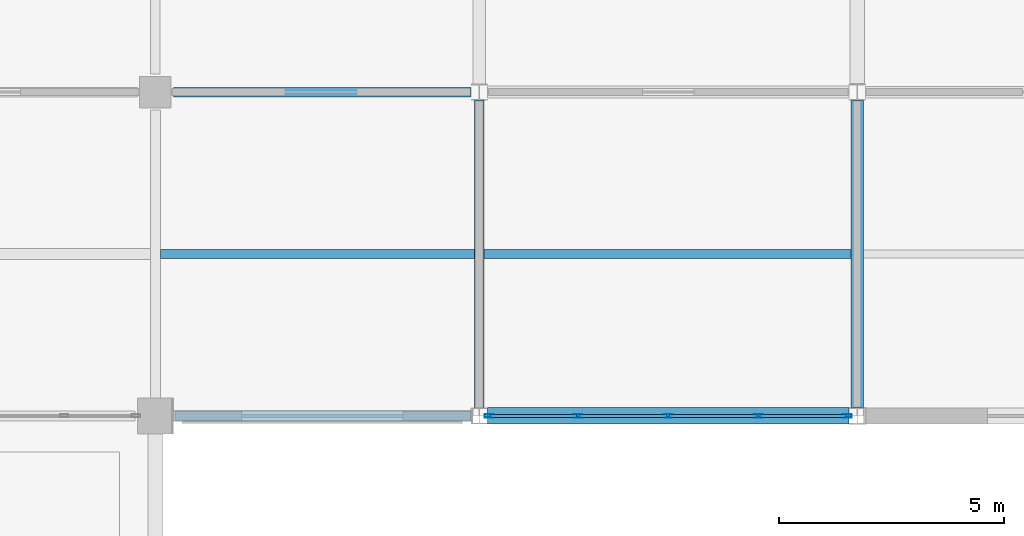
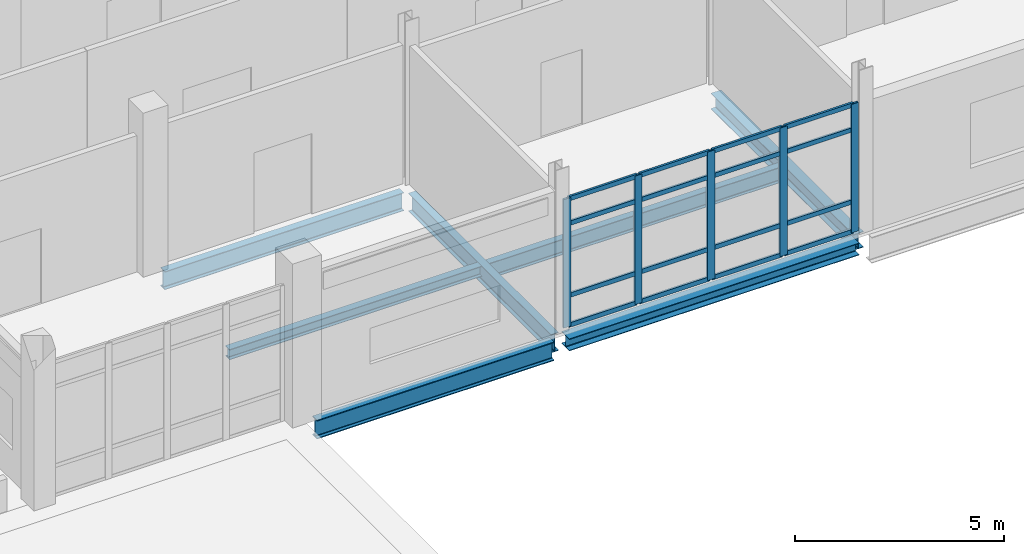
# One storey, part 83 of 186: 21 members, 7 beams, 1 element without a shape of its own.
"""IFC4 building model written with IfcOpenShell, lengths in metres."""

from ifc_helpers import new_model, si_unit, direction, frame, origin, origin_2d, place, context, subcontext, project, spatial, hollow_rectangle, i_section, extrude, material, layer, layer_set, material_profile, profile_set, type_object, element, aggregate, save


model = new_model("IFC4")

# Units and contexts
model_context = context("Model", 3, precision=1e-05, world=origin(), true_north=direction((0.0, 1.0)))
body_context = subcontext(model_context, "Body", "Model", "MODEL_VIEW")
ifc_project = project(units=[si_unit("LENGTHUNIT", "METRE"), si_unit("AREAUNIT", "SQUARE_METRE"), si_unit("VOLUMEUNIT", "CUBIC_METRE"), si_unit("PLANEANGLEUNIT", "RADIAN"), si_unit("MASSUNIT", "GRAM", prefix="KILO")], contexts=[model_context])

# Site, building, storey
site_placement = place(None, origin())
site = spatial("IfcSite", under=ifc_project, at=site_placement, CompositionType="ELEMENT")
building_placement = place(site_placement, origin())
building = spatial("IfcBuilding", under=site, at=building_placement, Name="Calvrana Isthmian Art Gallery", CompositionType="ELEMENT")
storey_placement = place(building_placement, frame((0.0, 0.0, 5.39990234375)))
storey = spatial("IfcBuildingStorey", under=building, at=storey_placement, Name="L01", CompositionType="ELEMENT", Elevation=5.39990234375)

# Beams
ifc_material_1 = material(Name="Steel ASTM A992 Gr 50", Category="steel")
ifc_material_profile_1 = material_profile(ifc_material_1, i_section(OverallWidth=0.279052734375, OverallDepth=0.4619140625, WebThickness=0.0107421875, FlangeThickness=0.017333984375, FilletRadius=0.02001953125, at=origin_2d()), Name="W18X76")
ifc_profile_set_1 = profile_set([ifc_material_profile_1], Name="Steel ASTM A992 Gr 50")
beam_type_1 = type_object("IfcBeamType", Name="BM-G-W18X76", PredefinedType="BEAM", material=ifc_profile_set_1)
beam_1_placement = place(storey_placement, frame((30.0, 98.583984375, -0.475830078125), z_axis=(0.0, 1.0, 0.0), x_axis=(-1.0, 0.0, 0.0)))
element("IfcBeam", 1, at=beam_1_placement, inside=storey, type_object=beam_type_1, Name="Girder Y L01 05/N-O", PredefinedType="BEAM", context=body_context, shape_type="SweptSolid", body=[
    extrude(i_section(OverallWidth=0.279052734375, OverallDepth=0.4619140625, WebThickness=0.0107421875, FlangeThickness=0.017333984375, FilletRadius=0.02001953125, at=origin_2d()), origin(), (0.0, 0.0, 1.0), 6.82958984375),
])
ifc_material_profile_2 = material_profile(ifc_material_1, i_section(OverallWidth=0.208984375, OverallDepth=0.532958984375, WebThickness=0.01025390625, FlangeThickness=0.015625, FilletRadius=0.02099609375, at=origin_2d()), Name="W21X62")
ifc_profile_set_2 = profile_set([ifc_material_profile_2], Name="Steel ASTM A992 Gr 50")
beam_type_2 = type_object("IfcBeamType", Name="BM-G-W21X62", PredefinedType="BEAM", material=ifc_profile_set_2)
beam_2_placement = place(storey_placement, frame((14.800048828125, 105.60009765625, -0.511474609375), z_axis=(1.0, 0.0, 0.0), x_axis=(0.0, 1.0, 0.0)))
element("IfcBeam", 2, at=beam_2_placement, inside=storey, type_object=beam_type_2, Name="Girder X L01 03-04/O", PredefinedType="BEAM", context=body_context, shape_type="SweptSolid", body=[
    extrude(i_section(OverallWidth=0.208984375, OverallDepth=0.532958984375, WebThickness=0.01025390625, FlangeThickness=0.015625, FilletRadius=0.02099609375, at=origin_2d()), origin(), (0.0, 0.0, 1.0), 6.615966796875),
])
beam_3_placement = place(storey_placement, frame((21.60009765625, 98.58642578125, -0.511474609375), z_axis=(0.0, 1.0, 0.0), x_axis=(-1.0, 0.0, 0.0)))
element("IfcBeam", 3, at=beam_3_placement, inside=storey, type_object=beam_type_2, Name="Girder Y L01 04/N-O", PredefinedType="BEAM", context=body_context, shape_type="SweptSolid", body=[
    extrude(i_section(OverallWidth=0.208984375, OverallDepth=0.532958984375, WebThickness=0.01025390625, FlangeThickness=0.015625, FilletRadius=0.02099609375, at=origin_2d()), origin(), (0.0, 0.0, 1.0), 6.835693359375),
])
ifc_material_profile_3 = material_profile(ifc_material_1, i_section(OverallWidth=0.214111328125, OverallDepth=0.549072265625, WebThickness=0.0146484375, FlangeThickness=0.023681640625, FilletRadius=0.02099609375, at=origin_2d()), Name="W21X93")
ifc_profile_set_3 = profile_set([ifc_material_profile_3], Name="Steel ASTM A992 Gr 50")
beam_type_3 = type_object("IfcBeamType", Name="BM-G-W21X93", PredefinedType="BEAM", material=ifc_profile_set_3)
beam_4_placement = place(storey_placement, frame((14.85009765625, 98.39990234375, -0.519287109375), z_axis=(1.0, 0.0, 0.0), x_axis=(0.0, 1.0, 0.0)))
element("IfcBeam", 4, at=beam_4_placement, inside=storey, type_object=beam_type_3, Name="Girder X L01 03-04/N", PredefinedType="BEAM", context=body_context, shape_type="SweptSolid", body=[
    extrude(i_section(OverallWidth=0.214111328125, OverallDepth=0.549072265625, WebThickness=0.0146484375, FlangeThickness=0.023681640625, FilletRadius=0.02099609375, at=origin_2d()), origin(), (0.0, 0.0, 1.0), 6.5634765625),
])
ifc_material_profile_4 = material_profile(ifc_material_1, i_section(OverallWidth=0.202880859375, OverallDepth=0.302001953125, WebThickness=0.007568359375, FlangeThickness=0.01318359375, FilletRadius=0.01611328125, at=origin_2d()), Name="W12X40")
ifc_profile_set_4 = profile_set([ifc_material_profile_4], Name="Steel ASTM A992 Gr 50")
beam_type_4 = type_object("IfcBeamType", Name="BM-J-W12X40", PredefinedType="JOIST", material=ifc_profile_set_4)
beam_5_placement = place(storey_placement, frame((14.513916015625, 102.0, -0.39599609375), z_axis=(1.0, 0.0, 0.0), x_axis=(0.0, 1.0, 0.0)))
element("IfcBeam", 5, at=beam_5_placement, inside=storey, type_object=beam_type_4, Name="Composite joist L01 bay 02-13", PredefinedType="JOIST", context=body_context, shape_type="SweptSolid", body=[
    extrude(i_section(OverallWidth=0.202880859375, OverallDepth=0.302001953125, WebThickness=0.007568359375, FlangeThickness=0.01318359375, FilletRadius=0.01611328125, at=origin_2d()), origin(), (0.0, 0.0, 1.0), 6.981689453125),
])
ifc_material_profile_5 = material_profile(ifc_material_1, i_section(OverallWidth=0.19091796875, OverallDepth=0.45703125, WebThickness=0.009033203125, FlangeThickness=0.014404296875, FilletRadius=0.02001953125, at=origin_2d()), Name="W18X50")
ifc_profile_set_5 = profile_set([ifc_material_profile_5], Name="Steel ASTM A992 Gr 50")
beam_type_5 = type_object("IfcBeamType", Name="BM-J-W18X50", PredefinedType="JOIST", material=ifc_profile_set_5)
beam_6_placement = place(storey_placement, frame((21.70458984375, 102.0, -0.473388671875), z_axis=(1.0, 0.0, 0.0), x_axis=(0.0, 1.0, 0.0)))
element("IfcBeam", 6, at=beam_6_placement, inside=storey, type_object=beam_type_5, Name="Composite joist L01 bay 03-13", PredefinedType="JOIST", context=body_context, shape_type="SweptSolid", body=[
    extrude(i_section(OverallWidth=0.19091796875, OverallDepth=0.45703125, WebThickness=0.009033203125, FlangeThickness=0.014404296875, FilletRadius=0.02001953125, at=origin_2d()), origin(), (0.0, 0.0, 1.0), 8.156005859375),
])
ifc_material_profile_6 = material_profile(ifc_material_1, i_section(OverallWidth=0.367919921875, OverallDepth=0.35595703125, WebThickness=0.01123046875, FlangeThickness=0.01806640625, FilletRadius=0.02490234375, at=origin_2d()), Name="W14X90")
ifc_profile_set_6 = profile_set([ifc_material_profile_6], Name="Steel ASTM A992 Gr 50")
beam_type_6 = type_object("IfcBeamType", Name="BM-SP-W14X90", PredefinedType="SPANDREL", material=ifc_profile_set_6)
beam_7_placement = place(storey_placement, frame((21.78662109375, 98.39990234375, -0.4228515625), z_axis=(1.0, 0.0, 0.0), x_axis=(0.0, 1.0, 0.0)))
element("IfcBeam", 7, at=beam_7_placement, inside=storey, type_object=beam_type_6, Name="Girder X L01 04-05/N", PredefinedType="SPANDREL", context=body_context, shape_type="SweptSolid", body=[
    extrude(i_section(OverallWidth=0.367919921875, OverallDepth=0.35595703125, WebThickness=0.01123046875, FlangeThickness=0.01806640625, FilletRadius=0.02490234375, at=origin_2d()), origin(), (0.0, 0.0, 1.0), 8.02685546875),
])

# Curtain wall, members
ifc_material_2 = material(Name="Anodized bronze aluminium 6063-T6", Category="aluminium")
ifc_layer = layer(ifc_material_2, 0.179931640625, Name="Anodized bronze aluminium 6063-T6")
ifc_layer_set = layer_set([ifc_layer], Name="Anodized bronze aluminium 6063-T6")
curtain_wall_type = type_object("IfcCurtainWallType", Name="CW-UNIT-080X38", PredefinedType="USERDEFINED", material=ifc_layer_set)
curtain_wall_placement = place(storey_placement, origin())
curtain_wall = element("IfcCurtainWall", 8, at=curtain_wall_placement, inside=storey, type_object=curtain_wall_type, Name="Curtain wall CW-111", ObjectType="UNITISED CURTAIN WALL", PredefinedType="USERDEFINED")
ifc_material_profile_7 = material_profile(ifc_material_2, hollow_rectangle(XDim=0.070068359375, YDim=0.199951171875, WallThickness=0.0048828125, at=origin_2d()), Name="CWM70X200")
ifc_profile_set_7 = profile_set([ifc_material_profile_7], Name="Anodized bronze aluminium 6063-T6")
member_type_1 = type_object("IfcMemberType", Name="CWM-CWM70X200", PredefinedType="MULLION", material=ifc_profile_set_7)
member_1_placement = place(storey_placement, frame((29.778564453125, 98.39990234375, 0.0), z_axis=(0.0, 0.0, 1.0), x_axis=(0.0, -1.0, 0.0)))
member_1 = element("IfcMember", 9, at=member_1_placement, type_object=member_type_1, Name="CW-111 mullion 1", PredefinedType="MULLION", context=body_context, shape_type="SweptSolid", body=[
    extrude(hollow_rectangle(XDim=0.070068359375, YDim=0.199951171875, WallThickness=0.0048828125, at=origin_2d()), origin(), (0.0, 0.0, 1.0), 3.758056640625),
])
member_2_placement = place(storey_placement, frame((27.80615234375, 98.39990234375, 0.0), z_axis=(0.0, 0.0, 1.0), x_axis=(0.0, -1.0, 0.0)))
member_2 = element("IfcMember", 10, at=member_2_placement, type_object=member_type_1, Name="CW-111 mullion 2", PredefinedType="MULLION", context=body_context, shape_type="SweptSolid", body=[
    extrude(hollow_rectangle(XDim=0.070068359375, YDim=0.199951171875, WallThickness=0.0048828125, at=origin_2d()), origin(), (0.0, 0.0, 1.0), 3.758056640625),
])
member_3_placement = place(storey_placement, frame((25.798828125, 98.39990234375, 0.0), z_axis=(0.0, 0.0, 1.0), x_axis=(0.0, -1.0, 0.0)))
member_3 = element("IfcMember", 11, at=member_3_placement, type_object=member_type_1, Name="CW-111 mullion 3", PredefinedType="MULLION", context=body_context, shape_type="SweptSolid", body=[
    extrude(hollow_rectangle(XDim=0.070068359375, YDim=0.199951171875, WallThickness=0.0048828125, at=origin_2d()), origin(), (0.0, 0.0, 1.0), 3.758056640625),
])
member_4_placement = place(storey_placement, frame((23.791259765625, 98.39990234375, 0.0), z_axis=(0.0, 0.0, 1.0), x_axis=(0.0, -1.0, 0.0)))
member_4 = element("IfcMember", 12, at=member_4_placement, type_object=member_type_1, Name="CW-111 mullion 4", PredefinedType="MULLION", context=body_context, shape_type="SweptSolid", body=[
    extrude(hollow_rectangle(XDim=0.070068359375, YDim=0.199951171875, WallThickness=0.0048828125, at=origin_2d()), origin(), (0.0, 0.0, 1.0), 3.758056640625),
])
member_5_placement = place(storey_placement, frame((21.819091796875, 98.39990234375, 0.0), z_axis=(0.0, 0.0, 1.0), x_axis=(0.0, -1.0, 0.0)))
member_5 = element("IfcMember", 13, at=member_5_placement, type_object=member_type_1, Name="CW-111 mullion 5", PredefinedType="MULLION", context=body_context, shape_type="SweptSolid", body=[
    extrude(hollow_rectangle(XDim=0.070068359375, YDim=0.199951171875, WallThickness=0.0048828125, at=origin_2d()), origin(), (0.0, 0.0, 1.0), 3.758056640625),
])
ifc_material_profile_8 = material_profile(ifc_material_2, hollow_rectangle(XDim=0.06005859375, YDim=0.1298828125, WallThickness=0.00390625, at=origin_2d()), Name="CWT60X130")
ifc_profile_set_8 = profile_set([ifc_material_profile_8], Name="Anodized bronze aluminium 6063-T6")
member_type_2 = type_object("IfcMemberType", Name="CWT-CWT60X130", PredefinedType="USERDEFINED", material=ifc_profile_set_8)
member_6_placement = place(storey_placement, frame((29.743408203125, 98.39990234375, 0.030029296875), z_axis=(-1.0, 0.0, 0.0), x_axis=(0.0, -1.0, 0.0)))
member_6 = element("IfcMember", 14, at=member_6_placement, type_object=member_type_2, Name="CW-111 transom 1.1", ObjectType="TRANSOM", PredefinedType="USERDEFINED", context=body_context, shape_type="SweptSolid", body=[
    extrude(hollow_rectangle(XDim=0.06005859375, YDim=0.1298828125, WallThickness=0.00390625, at=origin_2d()), origin(), (0.0, 0.0, 1.0), 1.90234375),
])
member_7_placement = place(storey_placement, frame((29.743408203125, 98.39990234375, 0.900146484375), z_axis=(-1.0, 0.0, 0.0), x_axis=(0.0, -1.0, 0.0)))
member_7 = element("IfcMember", 15, at=member_7_placement, type_object=member_type_2, Name="CW-111 transom 1.2", ObjectType="TRANSOM", PredefinedType="USERDEFINED", context=body_context, shape_type="SweptSolid", body=[
    extrude(hollow_rectangle(XDim=0.06005859375, YDim=0.1298828125, WallThickness=0.00390625, at=origin_2d()), origin(), (0.0, 0.0, 1.0), 1.90234375),
])
member_8_placement = place(storey_placement, frame((29.743408203125, 98.39990234375, 3.008056640625), z_axis=(-1.0, 0.0, 0.0), x_axis=(0.0, -1.0, 0.0)))
member_8 = element("IfcMember", 16, at=member_8_placement, type_object=member_type_2, Name="CW-111 transom 1.3", ObjectType="TRANSOM", PredefinedType="USERDEFINED", context=body_context, shape_type="SweptSolid", body=[
    extrude(hollow_rectangle(XDim=0.06005859375, YDim=0.1298828125, WallThickness=0.00390625, at=origin_2d()), origin(), (0.0, 0.0, 1.0), 1.90234375),
])
member_9_placement = place(storey_placement, frame((29.743408203125, 98.39990234375, 3.72802734375), z_axis=(-1.0, 0.0, 0.0), x_axis=(0.0, -1.0, 0.0)))
member_9 = element("IfcMember", 17, at=member_9_placement, type_object=member_type_2, Name="CW-111 transom 1.4", ObjectType="TRANSOM", PredefinedType="USERDEFINED", context=body_context, shape_type="SweptSolid", body=[
    extrude(hollow_rectangle(XDim=0.06005859375, YDim=0.1298828125, WallThickness=0.00390625, at=origin_2d()), origin(), (0.0, 0.0, 1.0), 1.90234375),
])
member_10_placement = place(storey_placement, frame((27.771240234375, 98.39990234375, 0.030029296875), z_axis=(-1.0, 0.0, 0.0), x_axis=(0.0, -1.0, 0.0)))
member_10 = element("IfcMember", 18, at=member_10_placement, type_object=member_type_2, Name="CW-111 transom 2.1", ObjectType="TRANSOM", PredefinedType="USERDEFINED", context=body_context, shape_type="SweptSolid", body=[
    extrude(hollow_rectangle(XDim=0.06005859375, YDim=0.1298828125, WallThickness=0.00390625, at=origin_2d()), origin(), (0.0, 0.0, 1.0), 1.9375),
])
member_11_placement = place(storey_placement, frame((27.771240234375, 98.39990234375, 0.900146484375), z_axis=(-1.0, 0.0, 0.0), x_axis=(0.0, -1.0, 0.0)))
member_11 = element("IfcMember", 19, at=member_11_placement, type_object=member_type_2, Name="CW-111 transom 2.2", ObjectType="TRANSOM", PredefinedType="USERDEFINED", context=body_context, shape_type="SweptSolid", body=[
    extrude(hollow_rectangle(XDim=0.06005859375, YDim=0.1298828125, WallThickness=0.00390625, at=origin_2d()), origin(), (0.0, 0.0, 1.0), 1.9375),
])
member_12_placement = place(storey_placement, frame((27.771240234375, 98.39990234375, 3.008056640625), z_axis=(-1.0, 0.0, 0.0), x_axis=(0.0, -1.0, 0.0)))
member_12 = element("IfcMember", 20, at=member_12_placement, type_object=member_type_2, Name="CW-111 transom 2.3", ObjectType="TRANSOM", PredefinedType="USERDEFINED", context=body_context, shape_type="SweptSolid", body=[
    extrude(hollow_rectangle(XDim=0.06005859375, YDim=0.1298828125, WallThickness=0.00390625, at=origin_2d()), origin(), (0.0, 0.0, 1.0), 1.9375),
])
member_13_placement = place(storey_placement, frame((27.771240234375, 98.39990234375, 3.72802734375), z_axis=(-1.0, 0.0, 0.0), x_axis=(0.0, -1.0, 0.0)))
member_13 = element("IfcMember", 21, at=member_13_placement, type_object=member_type_2, Name="CW-111 transom 2.4", ObjectType="TRANSOM", PredefinedType="USERDEFINED", context=body_context, shape_type="SweptSolid", body=[
    extrude(hollow_rectangle(XDim=0.06005859375, YDim=0.1298828125, WallThickness=0.00390625, at=origin_2d()), origin(), (0.0, 0.0, 1.0), 1.9375),
])
member_14_placement = place(storey_placement, frame((25.763671875, 98.39990234375, 0.030029296875), z_axis=(-1.0, 0.0, 0.0), x_axis=(0.0, -1.0, 0.0)))
member_14 = element("IfcMember", 22, at=member_14_placement, type_object=member_type_2, Name="CW-111 transom 3.1", ObjectType="TRANSOM", PredefinedType="USERDEFINED", context=body_context, shape_type="SweptSolid", body=[
    extrude(hollow_rectangle(XDim=0.06005859375, YDim=0.1298828125, WallThickness=0.00390625, at=origin_2d()), origin(), (0.0, 0.0, 1.0), 1.937255859375),
])
member_15_placement = place(storey_placement, frame((25.763671875, 98.39990234375, 0.900146484375), z_axis=(-1.0, 0.0, 0.0), x_axis=(0.0, -1.0, 0.0)))
member_15 = element("IfcMember", 23, at=member_15_placement, type_object=member_type_2, Name="CW-111 transom 3.2", ObjectType="TRANSOM", PredefinedType="USERDEFINED", context=body_context, shape_type="SweptSolid", body=[
    extrude(hollow_rectangle(XDim=0.06005859375, YDim=0.1298828125, WallThickness=0.00390625, at=origin_2d()), origin(), (0.0, 0.0, 1.0), 1.937255859375),
])
member_16_placement = place(storey_placement, frame((25.763671875, 98.39990234375, 3.008056640625), z_axis=(-1.0, 0.0, 0.0), x_axis=(0.0, -1.0, 0.0)))
member_16 = element("IfcMember", 24, at=member_16_placement, type_object=member_type_2, Name="CW-111 transom 3.3", ObjectType="TRANSOM", PredefinedType="USERDEFINED", context=body_context, shape_type="SweptSolid", body=[
    extrude(hollow_rectangle(XDim=0.06005859375, YDim=0.1298828125, WallThickness=0.00390625, at=origin_2d()), origin(), (0.0, 0.0, 1.0), 1.937255859375),
])
member_17_placement = place(storey_placement, frame((25.763671875, 98.39990234375, 3.72802734375), z_axis=(-1.0, 0.0, 0.0), x_axis=(0.0, -1.0, 0.0)))
member_17 = element("IfcMember", 25, at=member_17_placement, type_object=member_type_2, Name="CW-111 transom 3.4", ObjectType="TRANSOM", PredefinedType="USERDEFINED", context=body_context, shape_type="SweptSolid", body=[
    extrude(hollow_rectangle(XDim=0.06005859375, YDim=0.1298828125, WallThickness=0.00390625, at=origin_2d()), origin(), (0.0, 0.0, 1.0), 1.937255859375),
])
member_18_placement = place(storey_placement, frame((23.75634765625, 98.39990234375, 0.030029296875), z_axis=(-1.0, 0.0, 0.0), x_axis=(0.0, -1.0, 0.0)))
member_18 = element("IfcMember", 26, at=member_18_placement, type_object=member_type_2, Name="CW-111 transom 4.1", ObjectType="TRANSOM", PredefinedType="USERDEFINED", context=body_context, shape_type="SweptSolid", body=[
    extrude(hollow_rectangle(XDim=0.06005859375, YDim=0.1298828125, WallThickness=0.00390625, at=origin_2d()), origin(), (0.0, 0.0, 1.0), 1.90234375),
])
member_19_placement = place(storey_placement, frame((23.75634765625, 98.39990234375, 0.900146484375), z_axis=(-1.0, 0.0, 0.0), x_axis=(0.0, -1.0, 0.0)))
member_19 = element("IfcMember", 27, at=member_19_placement, type_object=member_type_2, Name="CW-111 transom 4.2", ObjectType="TRANSOM", PredefinedType="USERDEFINED", context=body_context, shape_type="SweptSolid", body=[
    extrude(hollow_rectangle(XDim=0.06005859375, YDim=0.1298828125, WallThickness=0.00390625, at=origin_2d()), origin(), (0.0, 0.0, 1.0), 1.90234375),
])
member_20_placement = place(storey_placement, frame((23.75634765625, 98.39990234375, 3.008056640625), z_axis=(-1.0, 0.0, 0.0), x_axis=(0.0, -1.0, 0.0)))
member_20 = element("IfcMember", 28, at=member_20_placement, type_object=member_type_2, Name="CW-111 transom 4.3", ObjectType="TRANSOM", PredefinedType="USERDEFINED", context=body_context, shape_type="SweptSolid", body=[
    extrude(hollow_rectangle(XDim=0.06005859375, YDim=0.1298828125, WallThickness=0.00390625, at=origin_2d()), origin(), (0.0, 0.0, 1.0), 1.90234375),
])
member_21_placement = place(storey_placement, frame((23.75634765625, 98.39990234375, 3.72802734375), z_axis=(-1.0, 0.0, 0.0), x_axis=(0.0, -1.0, 0.0)))
member_21 = element("IfcMember", 29, at=member_21_placement, type_object=member_type_2, Name="CW-111 transom 4.4", ObjectType="TRANSOM", PredefinedType="USERDEFINED", context=body_context, shape_type="SweptSolid", body=[
    extrude(hollow_rectangle(XDim=0.06005859375, YDim=0.1298828125, WallThickness=0.00390625, at=origin_2d()), origin(), (0.0, 0.0, 1.0), 1.90234375),
])
aggregate(curtain_wall, [member_1, member_2, member_3, member_4, member_5, member_6, member_7, member_8, member_9, member_10, member_11, member_12, member_13, member_14, member_15, member_16, member_17, member_18, member_19, member_20, member_21])

save(model, "model.ifc")
